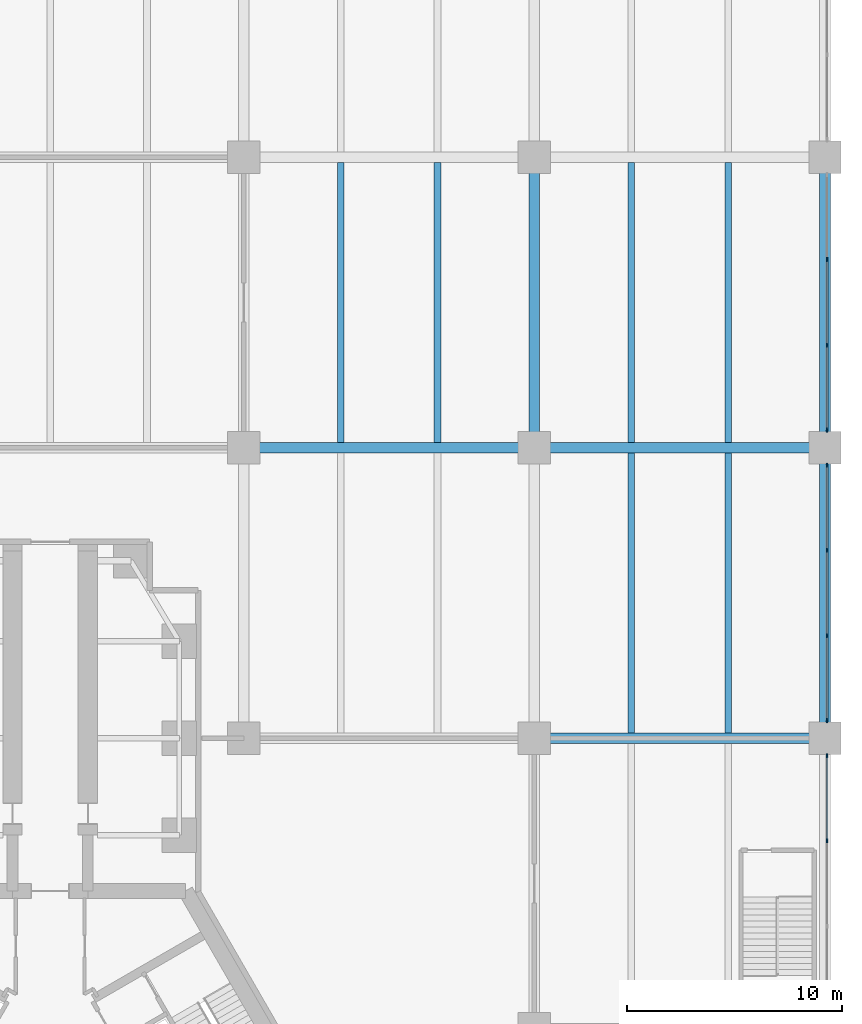
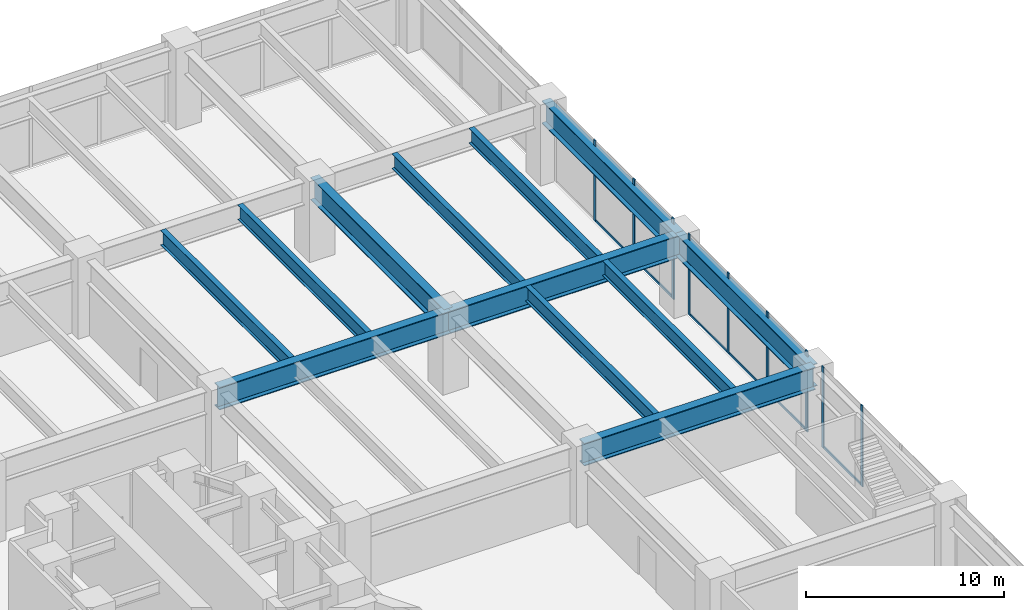
# One storey, part 12 of 32: 15 members, 12 beams, 3 elements without a shape of their own.
"""IFC4 building model written with IfcOpenShell, lengths in metres."""

import ifcopenshell
import ifcopenshell.guid

model = None  # the IFC model being written
_history = None  # IfcOwnerHistory: only IFC2X3 demands one
_inside = {}  # id of a spatial element -> (the spatial element, [elements in it])
_under = {}  # id of a project, library or spatial element -> (it, [spatial elements below it])
_declared = {}  # id of a project -> (the project, [libraries it declares])
_typed = {}  # id of a type object -> (the type object, [elements of that type])
_made_of = {}  # id of a material, layer set ... -> (it, [elements and type objects made of it])


def new_model(schema):
    """Start an empty IFC model of exactly this schema.

    Asked for "IFC4X3", IfcOpenShell would pick the latest addendum, in which some entities
    have other attributes; the version numbers below select the first issue.
    IFC2X3 requires an IfcOwnerHistory on every rooted entity: one is made here for all.
    """
    global model, _history
    if schema == "IFC4X3":
        model = ifcopenshell.file(schema_version=(4, 3, 0, 0))
    else:
        model = ifcopenshell.file(schema=schema)
    _inside.clear()
    _under.clear()
    _declared.clear()
    _typed.clear()
    _made_of.clear()
    _history = None
    if model.schema == "IFC2X3":
        org = make("IfcOrganization", Name="unknown")
        user = make(
            "IfcPersonAndOrganization",
            ThePerson=make("IfcPerson", FamilyName="unknown"),
            TheOrganization=org,
        )
        app = make(
            "IfcApplication",
            ApplicationDeveloper=org,
            Version="unknown",
            ApplicationFullName="unknown",
            ApplicationIdentifier="unknown",
        )
        _history = make(
            "IfcOwnerHistory",
            OwningUser=user,
            OwningApplication=app,
            ChangeAction="ADDED",
            CreationDate=0,
        )
    return model


def make(cls, **values):
    """One entity of the class cls with the attributes given. An attribute that is None is left unset."""
    return model.create_entity(
        cls, **{name: value for name, value in values.items() if value is not None}
    )


def rooted(cls, **values):
    """An entity with a GlobalId (a new one), such as an element, a storey or a relation."""
    return make(cls, GlobalId=ifcopenshell.guid.new(), OwnerHistory=_history, **values)


def si_unit(unit_type, name, prefix=None):
    """IfcSIUnit, for example si_unit("LENGTHUNIT", "METRE", prefix="MILLI")."""
    return make("IfcSIUnit", UnitType=unit_type, Prefix=prefix, Name=name)


def assignment(units):
    """IfcUnitAssignment: the units of a project."""
    return None if units is None else make("IfcUnitAssignment", Units=units)


def point(xyz):
    """IfcCartesianPoint."""
    return None if xyz is None else make("IfcCartesianPoint", Coordinates=xyz)


def direction(xyz):
    """IfcDirection."""
    return None if xyz is None else make("IfcDirection", DirectionRatios=xyz)


def frame(location, z_axis=None, x_axis=None):
    """IfcAxis2Placement3D, a coordinate frame: its origin and axes. An axis left out is left unset."""
    return make(
        "IfcAxis2Placement3D",
        Location=point(location),
        Axis=direction(z_axis),
        RefDirection=direction(x_axis),
    )


def frame_2d(location, x_axis=None):
    """IfcAxis2Placement2D, a coordinate frame in the plane: its origin and x axis."""
    return make(
        "IfcAxis2Placement2D", Location=point(location), RefDirection=direction(x_axis)
    )


def origin():
    """The frame at (0, 0, 0) with its axes left unset."""
    return frame((0.0, 0.0, 0.0))


def origin_2d():
    """The frame at (0, 0) in the plane with its x axis left unset."""
    return frame_2d((0.0, 0.0))


def place(relative_to, where):
    """IfcLocalPlacement: puts the frame where relative to a parent placement (None: the world)."""
    return make(
        "IfcLocalPlacement", PlacementRelTo=relative_to, RelativePlacement=where
    )


def context(
    kind, dimensions, precision=None, world=None, true_north=None, identifier=None
):
    """IfcGeometricRepresentationContext, for example the 3D "Model" context."""
    return make(
        "IfcGeometricRepresentationContext",
        ContextIdentifier=identifier,
        ContextType=kind,
        CoordinateSpaceDimension=dimensions,
        Precision=precision,
        WorldCoordinateSystem=world,
        TrueNorth=true_north,
    )


def subcontext(parent, identifier, kind, view, scale=None):
    """IfcGeometricRepresentationSubContext, for example "Body" below "Model"."""
    return make(
        "IfcGeometricRepresentationSubContext",
        ContextIdentifier=identifier,
        ContextType=kind,
        ParentContext=parent,
        TargetScale=scale,
        TargetView=view,
    )


def project(units=None, contexts=None):
    """IfcProject with its units and contexts."""
    return rooted(
        "IfcProject",
        Name="project",
        RepresentationContexts=contexts,
        UnitsInContext=assignment(units),
    )


def spatial(cls, under=None, at=None, **own):
    """A site, building, storey or space (cls), placed at a placement, below another one or the project."""
    s = rooted(cls, ObjectPlacement=at, **own)
    if under is not None:
        _under.setdefault(under.id(), (under, []))[1].append(s)
    return s


def profile(cls, at=None, kind="AREA", **sizes):
    """A parametric profile (cls). Its sizes go by their IFC names, for example OverallWidth=200.0."""
    return make(cls, ProfileType=kind, Position=at, **sizes)


def rectangle(**sizes):
    """IfcRectangleProfileDef."""
    return profile("IfcRectangleProfileDef", **sizes)


def i_section(**sizes):
    """IfcIShapeProfileDef."""
    return profile("IfcIShapeProfileDef", **sizes)


def extrude(swept, where, along, depth):
    """IfcExtrudedAreaSolid: the profile swept, set in the frame where, extruded along a direction by depth."""
    return make(
        "IfcExtrudedAreaSolid",
        SweptArea=swept,
        Position=where,
        ExtrudedDirection=direction(along),
        Depth=depth,
    )


def shape(context_of_items, identifier, shape_type, items):
    """IfcShapeRepresentation: the items that make up one representation, for example the "Body"."""
    return make(
        "IfcShapeRepresentation",
        ContextOfItems=context_of_items,
        RepresentationIdentifier=identifier,
        RepresentationType=shape_type,
        Items=items,
    )


def material(Name=None, Category=None):
    """IfcMaterial."""
    return make("IfcMaterial", Name=Name, Category=Category)


def material_profile(
    of_material, cross_section, Name=None, Category=None, Priority=None
):
    """IfcMaterialProfile: a cross section and its material."""
    return make(
        "IfcMaterialProfile",
        Name=Name,
        Material=of_material,
        Profile=cross_section,
        Priority=Priority,
        Category=Category,
    )


def profile_set(profiles, Name=None, composite=None):
    """IfcMaterialProfileSet."""
    return make(
        "IfcMaterialProfileSet",
        Name=Name,
        MaterialProfiles=profiles,
        CompositeProfile=composite,
    )


def made_of(thing, what):
    """Note that an element or type object is made of a material, layer set ...; save() writes the relation."""
    if what is not None:
        _made_of.setdefault(what.id(), (what, []))[1].append(thing)
    return thing


def type_object(cls, material=None, **own):
    """A type object (cls), such as IfcWallType, which elements share."""
    return made_of(rooted(cls, **own), material)


def element(
    cls,
    number,
    at=None,
    inside=None,
    cuts=None,
    type_object=None,
    material=None,
    context=None,
    identifier="Body",
    shape_type=None,
    held_by="IfcProductDefinitionShape",
    body=None,
    shapes=None,
    **own,
):
    """One element of the class cls, such as IfcWall. Its Tag is "e" and its number.

    at: its placement. inside: the storey or other place that contains it. cuts: it is an
    opening in that element (IfcRelVoidsElement). A single representation is given by context,
    identifier, shape_type and body (its items); several are given by shapes. held_by: the class
    of the entity that holds the representations. save() writes the other relations.
    """
    e = rooted(cls, Tag="e%d" % number, ObjectPlacement=at, **own)
    if body is not None:
        shapes = [shape(context, identifier, shape_type, body)]
    if shapes is not None:
        e.Representation = make(held_by, Representations=shapes)
    if inside is not None:
        _inside.setdefault(inside.id(), (inside, []))[1].append(e)
    if cuts is not None:
        rooted(
            "IfcRelVoidsElement", RelatingBuildingElement=cuts, RelatedOpeningElement=e
        )
    if type_object is not None:
        _typed.setdefault(type_object.id(), (type_object, []))[1].append(e)
    return made_of(e, material)


def aggregate(whole, parts):
    """IfcRelAggregates: a whole, such as a stair, and the parts it consists of."""
    return rooted("IfcRelAggregates", RelatingObject=whole, RelatedObjects=parts)


def save(model, path):
    """Write the relations noted so far, then the file.

    IfcRelAggregates (storeys below a building ...), IfcRelContainedInSpatialStructure (elements
    in a storey), IfcRelDefinesByType, IfcRelAssociatesMaterial and IfcRelDeclares: one each for
    every whole, place, type object, material and project.
    """
    for whole, parts in _under.values():
        aggregate(whole, parts)
    for where, things in _inside.values():
        rooted(
            "IfcRelContainedInSpatialStructure",
            RelatedElements=things,
            RelatingStructure=where,
        )
    for kind, things in _typed.values():
        rooted("IfcRelDefinesByType", RelatedObjects=things, RelatingType=kind)
    for what, things in _made_of.values():
        rooted("IfcRelAssociatesMaterial", RelatedObjects=things, RelatingMaterial=what)
    for by, libraries in _declared.values():
        rooted("IfcRelDeclares", RelatingContext=by, RelatedDefinitions=libraries)
    model.write(path)


model = new_model("IFC4")

# Units and contexts
model_context = context("Model", 3, precision=1e-05, world=origin(), true_north=direction((0.0, 1.0)))
body_context = subcontext(model_context, "Body", "Model", "MODEL_VIEW")
ifc_project = project(units=[si_unit("LENGTHUNIT", "METRE"), si_unit("AREAUNIT", "SQUARE_METRE"), si_unit("VOLUMEUNIT", "CUBIC_METRE"), si_unit("PLANEANGLEUNIT", "RADIAN"), si_unit("MASSUNIT", "GRAM", prefix="KILO")], contexts=[model_context])

# Site, building, storey
site_placement = place(None, origin())
site = spatial("IfcSite", under=ifc_project, at=site_placement, CompositionType="ELEMENT")
building_placement = place(site_placement, origin())
building = spatial("IfcBuilding", under=site, at=building_placement, Name="Upepo Twin Towers", CompositionType="ELEMENT")
storey_placement = place(building_placement, frame((0.0, 0.0, 10.5)))
storey = spatial("IfcBuildingStorey", under=building, at=storey_placement, Name="L02", CompositionType="ELEMENT", Elevation=10.5)

# Beams
ifc_material_1 = material(Name="Steel S355", Category="steel")
ifc_material_profile_1 = material_profile(ifc_material_1, i_section(OverallWidth=0.5, OverallDepth=1.39990234375, WebThickness=0.02490234375, FlangeThickness=0.050048828125, FilletRadius=0.008056640625, at=origin_2d()), Name="PG 1400x500x25x50")
ifc_profile_set_1 = profile_set([ifc_material_profile_1], Name="Steel S355")
beam_type_1 = type_object("IfcBeamType", Name="Beam PG 1400x500x25x50", PredefinedType="BEAM", material=ifc_profile_set_1)
for number, where, z_axis, x_axis, name in (
    (1, (81.0, 0.0, 3.949951171875), (1.0, 0.0, 0.0), (0.0, 1.0, 0.0), "Podium girder D/9-10"),
    (2, (67.5, 13.5, 3.949951171875), (1.0, 0.0, 0.0), (0.0, 1.0, 0.0), "Podium girder E/8-9"),
    (3, (81.0, 13.5, 3.949951171875), (1.0, 0.0, 0.0), (0.0, 1.0, 0.0), "Podium girder E/9-10"),
    (4, (81.0, 13.5, 3.949951171875), (0.0, 1.0, 0.0), (-1.0, 0.0, 0.0), "Podium girder 9/E-F"),
    (5, (94.5, 0.0, 3.949951171875), (0.0, 1.0, 0.0), (-1.0, 0.0, 0.0), "Podium girder 10/D-E"),
    (6, (94.5, 13.5, 3.949951171875), (0.0, 1.0, 0.0), (-1.0, 0.0, 0.0), "Podium girder 10/E-F"),
):
    element("IfcBeam", number, at=place(storey_placement, frame(where, z_axis=z_axis, x_axis=x_axis)), inside=storey, type_object=beam_type_1, Name=name, PredefinedType="BEAM", context=body_context, shape_type="SweptSolid", body=[
        extrude(i_section(OverallWidth=0.5, OverallDepth=1.39990234375, WebThickness=0.02490234375, FlangeThickness=0.050048828125, FilletRadius=0.008056640625, at=origin_2d()), origin(), (0.0, 0.0, 1.0), 13.5),
    ])

# Curtain wall, members
ifc_material_2 = material(Name="Aluminium and clear glass", Category="aluminium")
curtain_wall_type = type_object("IfcCurtainWallType", Name="Podium curtain wall PW1", PredefinedType="NOTDEFINED", material=ifc_material_2)
curtain_wall_1_placement = place(storey_placement, origin())
curtain_wall_1 = element("IfcCurtainWall", 7, at=curtain_wall_1_placement, inside=storey, type_object=curtain_wall_type, Name="Podium L02 curtain wall E3", PredefinedType="NOTDEFINED")
ifc_material_3 = material(Name="Aluminium mullion", Category="aluminium")
ifc_material_profile_2 = material_profile(ifc_material_3, rectangle(XDim=0.06494140625, YDim=0.199951171875, at=origin_2d()), Name="MULLION 65x200 PODIUM")
ifc_profile_set_2 = profile_set([ifc_material_profile_2], Name="Aluminium mullion")
member_type_1 = type_object("IfcMemberType", Name="Mullion 65x200 PW1", PredefinedType="MULLION", material=ifc_profile_set_2)
member_1_placement = place(storey_placement, frame((94.60009765625, -4.76171875, 0.0), z_axis=(0.0, 0.0, 1.0), x_axis=(-1.0, 0.0, 0.0)))
member_1 = element("IfcMember", 8, at=member_1_placement, type_object=member_type_1, Name="Podium L02 curtain wall E3 mullion 3", PredefinedType="MULLION", context=body_context, shape_type="SweptSolid", body=[
    extrude(rectangle(XDim=0.06494140625, YDim=0.199951171875, at=origin_2d()), origin(), (0.0, 0.0, 1.0), 5.0),
])
member_2_placement = place(storey_placement, frame((94.60009765625, -0.8173828125, 0.0), z_axis=(0.0, 0.0, 1.0), x_axis=(-1.0, 0.0, 0.0)))
member_2 = element("IfcMember", 9, at=member_2_placement, type_object=member_type_1, Name="Podium L02 curtain wall E3 mullion 4", PredefinedType="MULLION", context=body_context, shape_type="SweptSolid", body=[
    extrude(rectangle(XDim=0.06494140625, YDim=0.199951171875, at=origin_2d()), origin(), (0.0, 0.0, 1.0), 5.0),
])

curtain_wall_2_placement = place(storey_placement, origin())
curtain_wall_2 = element("IfcCurtainWall", 10, at=curtain_wall_2_placement, inside=storey, type_object=curtain_wall_type, Name="Podium L02 curtain wall E4", PredefinedType="NOTDEFINED")
member_3_placement = place(storey_placement, frame((94.60009765625, 0.8173828125, 0.0), z_axis=(0.0, 0.0, 1.0), x_axis=(-1.0, 0.0, 0.0)))
member_3 = element("IfcMember", 11, at=member_3_placement, type_object=member_type_1, Name="Podium L02 curtain wall E4 mullion 1", PredefinedType="MULLION", context=body_context, shape_type="SweptSolid", body=[
    extrude(rectangle(XDim=0.06494140625, YDim=0.199951171875, at=origin_2d()), origin(), (0.0, 0.0, 1.0), 5.0),
])
member_4_placement = place(storey_placement, frame((94.60009765625, 4.76171875, 0.0), z_axis=(0.0, 0.0, 1.0), x_axis=(-1.0, 0.0, 0.0)))
member_4 = element("IfcMember", 12, at=member_4_placement, type_object=member_type_1, Name="Podium L02 curtain wall E4 mullion 2", PredefinedType="MULLION", context=body_context, shape_type="SweptSolid", body=[
    extrude(rectangle(XDim=0.06494140625, YDim=0.199951171875, at=origin_2d()), origin(), (0.0, 0.0, 1.0), 5.0),
])
member_5_placement = place(storey_placement, frame((94.60009765625, 8.73828125, 0.0), z_axis=(0.0, 0.0, 1.0), x_axis=(-1.0, 0.0, 0.0)))
member_5 = element("IfcMember", 13, at=member_5_placement, type_object=member_type_1, Name="Podium L02 curtain wall E4 mullion 3", PredefinedType="MULLION", context=body_context, shape_type="SweptSolid", body=[
    extrude(rectangle(XDim=0.06494140625, YDim=0.199951171875, at=origin_2d()), origin(), (0.0, 0.0, 1.0), 5.0),
])
member_6_placement = place(storey_placement, frame((94.60009765625, 12.6826171875, 0.0), z_axis=(0.0, 0.0, 1.0), x_axis=(-1.0, 0.0, 0.0)))
member_6 = element("IfcMember", 14, at=member_6_placement, type_object=member_type_1, Name="Podium L02 curtain wall E4 mullion 4", PredefinedType="MULLION", context=body_context, shape_type="SweptSolid", body=[
    extrude(rectangle(XDim=0.06494140625, YDim=0.199951171875, at=origin_2d()), origin(), (0.0, 0.0, 1.0), 5.0),
])

curtain_wall_3_placement = place(storey_placement, origin())
curtain_wall_3 = element("IfcCurtainWall", 15, at=curtain_wall_3_placement, inside=storey, type_object=curtain_wall_type, Name="Podium L02 curtain wall E5", PredefinedType="NOTDEFINED")
member_7_placement = place(storey_placement, frame((94.60009765625, 14.3173828125, 0.0), z_axis=(0.0, 0.0, 1.0), x_axis=(-1.0, 0.0, 0.0)))
member_7 = element("IfcMember", 16, at=member_7_placement, type_object=member_type_1, Name="Podium L02 curtain wall E5 mullion 1", PredefinedType="MULLION", context=body_context, shape_type="SweptSolid", body=[
    extrude(rectangle(XDim=0.06494140625, YDim=0.199951171875, at=origin_2d()), origin(), (0.0, 0.0, 1.0), 5.0),
])
member_8_placement = place(storey_placement, frame((94.60009765625, 18.26171875, 0.0), z_axis=(0.0, 0.0, 1.0), x_axis=(-1.0, 0.0, 0.0)))
member_8 = element("IfcMember", 17, at=member_8_placement, type_object=member_type_1, Name="Podium L02 curtain wall E5 mullion 2", PredefinedType="MULLION", context=body_context, shape_type="SweptSolid", body=[
    extrude(rectangle(XDim=0.06494140625, YDim=0.199951171875, at=origin_2d()), origin(), (0.0, 0.0, 1.0), 5.0),
])
member_9_placement = place(storey_placement, frame((94.60009765625, 22.23828125, 0.0), z_axis=(0.0, 0.0, 1.0), x_axis=(-1.0, 0.0, 0.0)))
member_9 = element("IfcMember", 18, at=member_9_placement, type_object=member_type_1, Name="Podium L02 curtain wall E5 mullion 3", PredefinedType="MULLION", context=body_context, shape_type="SweptSolid", body=[
    extrude(rectangle(XDim=0.06494140625, YDim=0.199951171875, at=origin_2d()), origin(), (0.0, 0.0, 1.0), 5.0),
])

# Beams
ifc_material_4 = material(Name="Steel S355", Category="steel")
ifc_material_profile_3 = material_profile(ifc_material_4, i_section(OverallWidth=0.305419921875, OverallDepth=0.91845703125, WebThickness=0.017333984375, FlangeThickness=0.02783203125, FilletRadius=0.01904296875, at=origin_2d()), Name="UB 914x305x253")
ifc_profile_set_3 = profile_set([ifc_material_profile_3], Name="Steel S355")
beam_type_2 = type_object("IfcBeamType", Name="Secondary beam UB 914x305x253", PredefinedType="JOIST", material=ifc_profile_set_3)
for number, where, z_axis, x_axis, name in (
    (19, (72.0, 13.75, 4.19091796875), (0.0, 1.0, 0.0), (-1.0, 0.0, 0.0), "Podium secondary beam E8.1"),
    (20, (76.5, 13.75, 4.19091796875), (0.0, 1.0, 0.0), (-1.0, 0.0, 0.0), "Podium secondary beam E8.2"),
    (21, (85.5, 0.25, 4.19091796875), (0.0, 1.0, 0.0), (-1.0, 0.0, 0.0), "Podium secondary beam D9.1"),
    (22, (90.0, 0.25, 4.19091796875), (0.0, 1.0, 0.0), (-1.0, 0.0, 0.0), "Podium secondary beam D9.2"),
    (23, (85.5, 13.75, 4.19091796875), (0.0, 1.0, 0.0), (-1.0, 0.0, 0.0), "Podium secondary beam E9.1"),
    (24, (90.0, 13.75, 4.19091796875), (0.0, 1.0, 0.0), (-1.0, 0.0, 0.0), "Podium secondary beam E9.2"),
):
    element("IfcBeam", number, at=place(storey_placement, frame(where, z_axis=z_axis, x_axis=x_axis)), inside=storey, type_object=beam_type_2, Name=name, PredefinedType="JOIST", context=body_context, shape_type="SweptSolid", body=[
        extrude(i_section(OverallWidth=0.305419921875, OverallDepth=0.91845703125, WebThickness=0.017333984375, FlangeThickness=0.02783203125, FilletRadius=0.01904296875, at=origin_2d()), origin(), (0.0, 0.0, 1.0), 13.0),
    ])

# Member
ifc_material_5 = material(Name="Aluminium transom", Category="aluminium")
ifc_material_profile_4 = material_profile(ifc_material_5, rectangle(XDim=0.06494140625, YDim=0.14990234375, at=origin_2d()), Name="TRANSOM 65x150 PODIUM")
ifc_profile_set_4 = profile_set([ifc_material_profile_4], Name="Aluminium transom")
member_type_2 = type_object("IfcMemberType", Name="Transom 65x150 PW1", PredefinedType="USERDEFINED", material=ifc_profile_set_4)
member_10_placement = place(storey_placement, frame((94.60009765625, -4.729248046875, 0.074951171875), z_axis=(0.0, 1.0, 0.0), x_axis=(-1.0, 0.0, 0.0)))
member_10 = element("IfcMember", 25, at=member_10_placement, type_object=member_type_2, Name="Podium L02 curtain wall E3 transom 3", ObjectType="TRANSOM", PredefinedType="USERDEFINED", context=body_context, shape_type="SweptSolid", body=[
    extrude(rectangle(XDim=0.06494140625, YDim=0.14990234375, at=origin_2d()), origin(), (0.0, 0.0, 1.0), 3.879150390625),
])

aggregate(curtain_wall_1, [member_1, member_2, member_10])

member_11_placement = place(storey_placement, frame((94.60009765625, 0.85009765625, 0.074951171875), z_axis=(0.0, 1.0, 0.0), x_axis=(-1.0, 0.0, 0.0)))
member_11 = element("IfcMember", 26, at=member_11_placement, type_object=member_type_2, Name="Podium L02 curtain wall E4 transom 1", ObjectType="TRANSOM", PredefinedType="USERDEFINED", context=body_context, shape_type="SweptSolid", body=[
    extrude(rectangle(XDim=0.06494140625, YDim=0.14990234375, at=origin_2d()), origin(), (0.0, 0.0, 1.0), 3.879150390625),
])

member_12_placement = place(storey_placement, frame((94.60009765625, 4.794189453125, 0.074951171875), z_axis=(0.0, 1.0, 0.0), x_axis=(-1.0, 0.0, 0.0)))
member_12 = element("IfcMember", 27, at=member_12_placement, type_object=member_type_2, Name="Podium L02 curtain wall E4 transom 2", ObjectType="TRANSOM", PredefinedType="USERDEFINED", context=body_context, shape_type="SweptSolid", body=[
    extrude(rectangle(XDim=0.06494140625, YDim=0.14990234375, at=origin_2d()), origin(), (0.0, 0.0, 1.0), 3.91162109375),
])

member_13_placement = place(storey_placement, frame((94.60009765625, 8.770751953125, 0.074951171875), z_axis=(0.0, 1.0, 0.0), x_axis=(-1.0, 0.0, 0.0)))
member_13 = element("IfcMember", 28, at=member_13_placement, type_object=member_type_2, Name="Podium L02 curtain wall E4 transom 3", ObjectType="TRANSOM", PredefinedType="USERDEFINED", context=body_context, shape_type="SweptSolid", body=[
    extrude(rectangle(XDim=0.06494140625, YDim=0.14990234375, at=origin_2d()), origin(), (0.0, 0.0, 1.0), 3.879150390625),
])

aggregate(curtain_wall_2, [member_3, member_4, member_5, member_6, member_11, member_12, member_13])

member_14_placement = place(storey_placement, frame((94.60009765625, 14.35009765625, 0.074951171875), z_axis=(0.0, 1.0, 0.0), x_axis=(-1.0, 0.0, 0.0)))
member_14 = element("IfcMember", 29, at=member_14_placement, type_object=member_type_2, Name="Podium L02 curtain wall E5 transom 1", ObjectType="TRANSOM", PredefinedType="USERDEFINED", context=body_context, shape_type="SweptSolid", body=[
    extrude(rectangle(XDim=0.06494140625, YDim=0.14990234375, at=origin_2d()), origin(), (0.0, 0.0, 1.0), 3.879150390625),
])

member_15_placement = place(storey_placement, frame((94.60009765625, 18.294189453125, 0.074951171875), z_axis=(0.0, 1.0, 0.0), x_axis=(-1.0, 0.0, 0.0)))
member_15 = element("IfcMember", 30, at=member_15_placement, type_object=member_type_2, Name="Podium L02 curtain wall E5 transom 2", ObjectType="TRANSOM", PredefinedType="USERDEFINED", context=body_context, shape_type="SweptSolid", body=[
    extrude(rectangle(XDim=0.06494140625, YDim=0.14990234375, at=origin_2d()), origin(), (0.0, 0.0, 1.0), 3.91162109375),
])

aggregate(curtain_wall_3, [member_7, member_8, member_9, member_14, member_15])

save(model, "model.ifc")
